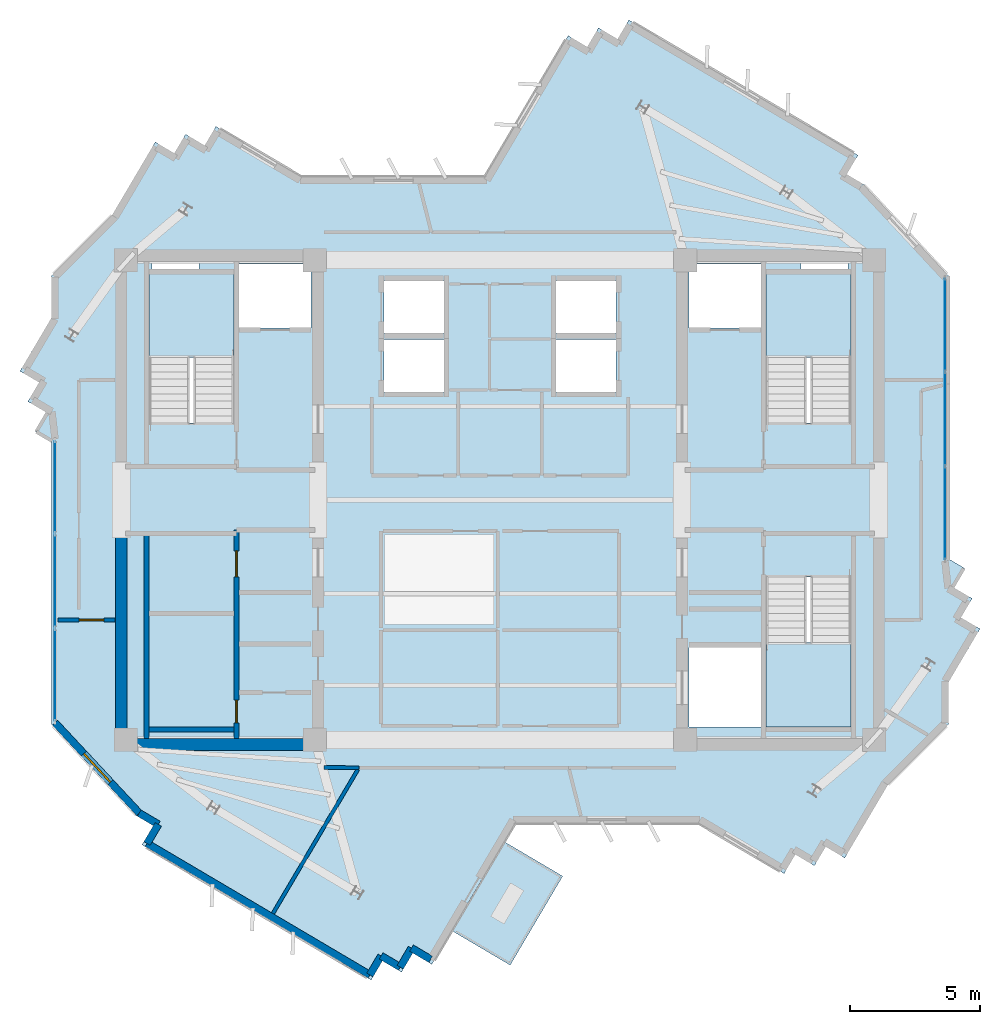
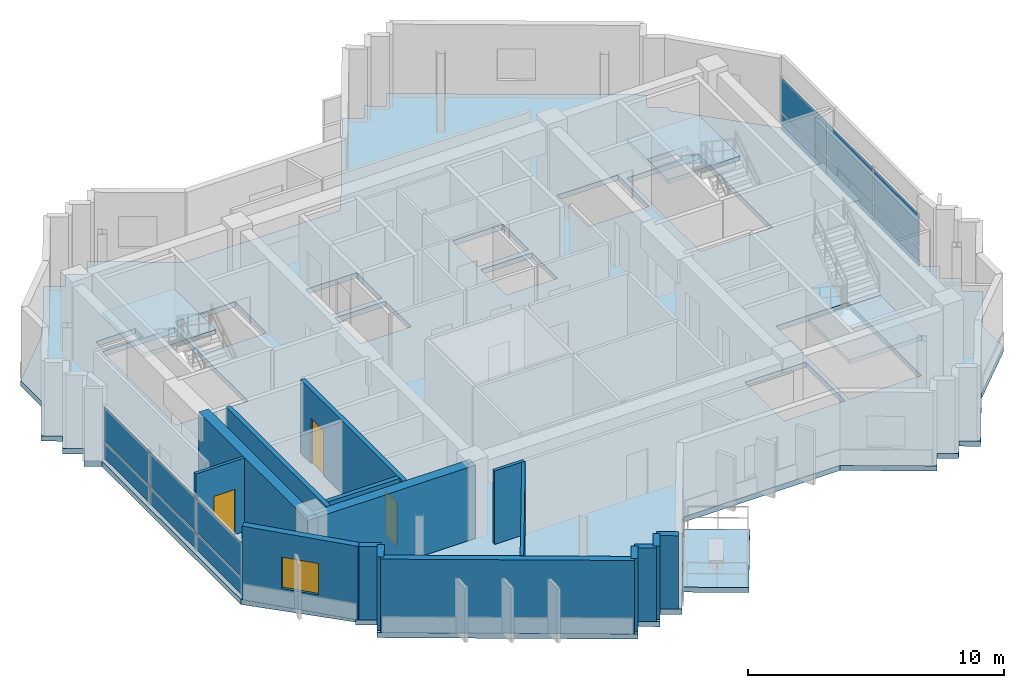
# One storey, part 3 of 10: 16 walls, 12 plates, 5 slabs, 3 doors, 1 window, 4 openings, 5 elements without a shape of their own.
"""IFC4 building model written with IfcOpenShell, lengths in metres."""

from ifc_helpers import new_model, si_unit, direction, frame, frame_2d, origin, origin_2d, place, context, subcontext, project, spatial, polyline, rectangle, outline, extrude, source, transform, mapped, material, layer, layer_set, type_object, element, fill, aggregate, save


model = new_model("IFC4")

# Units and contexts
model_context = context("Model", 3, precision=1e-05, world=origin(), true_north=direction((0.0, 1.0)))
body_context = subcontext(model_context, "Body", "Model", "MODEL_VIEW")
ifc_project = project(units=[si_unit("LENGTHUNIT", "METRE"), si_unit("AREAUNIT", "SQUARE_METRE"), si_unit("VOLUMEUNIT", "CUBIC_METRE"), si_unit("PLANEANGLEUNIT", "RADIAN"), si_unit("MASSUNIT", "GRAM", prefix="KILO")], contexts=[model_context])

# Site, building, storey
site_placement = place(None, origin())
site = spatial("IfcSite", under=ifc_project, at=site_placement, CompositionType="ELEMENT")
building_placement = place(site_placement, origin())
building = spatial("IfcBuilding", under=site, at=building_placement, Name="Zahravan Cultural Tower", CompositionType="ELEMENT")
storey_placement = place(building_placement, frame((0.0, 0.0, 349.800048828125)))
storey = spatial("IfcBuildingStorey", under=building, at=storey_placement, Name="L85", CompositionType="ELEMENT", Elevation=349.800048828125)

# Stair, slab
ifc_material_1 = material(Name="Concrete C45/55", Category="concrete")
stair_type = type_object("IfcStairType", Name="STR-DL-1550-375", PredefinedType="HALF_TURN_STAIR", material=ifc_material_1)
stair_1_placement = place(storey_placement, origin())
stair_1 = element("IfcStair", 1, at=stair_1_placement, inside=storey, type_object=stair_type, Name="L85 West Core North Exit Stair ST-W1", PredefinedType="HALF_TURN_STAIR")
ifc_layer_1 = layer(ifc_material_1, 0.199951171875)
ifc_layer_set_1 = layer_set([ifc_layer_1], Name="Concrete C45/55")
slab_type_1 = type_object("IfcSlabType", Name="SL-STAIR-LND200", PredefinedType="LANDING", material=ifc_layer_set_1)
slab_1_placement = place(storey_placement, frame((0.0, 0.0, 1.675048828125)))
slab_1 = element("IfcSlab", 2, at=slab_1_placement, type_object=slab_type_1, Name="ST-W1 landing 1", PredefinedType="LANDING", context=body_context, shape_type="SweptSolid", body=[
    extrude(outline(polyline([(25.800048828125, 32.469970703125), (25.800048828125, 35.699951171875), (22.550048828125, 35.699951171875), (22.550048828125, 32.469970703125), (25.800048828125, 32.469970703125)])), origin(), (0.0, 0.0, 1.0), 0.199951171875),
])
aggregate(stair_1, [slab_1])

stair_2_placement = place(storey_placement, origin())
stair_2 = element("IfcStair", 3, at=stair_2_placement, inside=storey, type_object=stair_type, Name="L85 East Core North Exit Stair ST-E1", PredefinedType="HALF_TURN_STAIR")
slab_2_placement = place(storey_placement, frame((0.0, 0.0, 1.675048828125)))
slab_2 = element("IfcSlab", 4, at=slab_2_placement, type_object=slab_type_1, Name="ST-E1 landing 1", PredefinedType="LANDING", context=body_context, shape_type="SweptSolid", body=[
    extrude(outline(polyline([(49.449951171875, 32.469970703125), (49.449951171875, 35.699951171875), (46.199951171875, 35.699951171875), (46.199951171875, 32.469970703125), (49.449951171875, 32.469970703125)])), origin(), (0.0, 0.0, 1.0), 0.199951171875),
])
aggregate(stair_2, [slab_2])

stair_3_placement = place(storey_placement, origin())
stair_3 = element("IfcStair", 5, at=stair_3_placement, inside=storey, type_object=stair_type, Name="L85 East Core South Exit Stair ST-E2", PredefinedType="HALF_TURN_STAIR")
slab_3_placement = place(storey_placement, frame((0.0, 0.0, 1.675048828125)))
slab_3 = element("IfcSlab", 6, at=slab_3_placement, type_object=slab_type_1, Name="ST-E2 landing 1", PredefinedType="LANDING", context=body_context, shape_type="SweptSolid", body=[
    extrude(outline(polyline([(46.199951171875, 21.530029296875), (46.199951171875, 18.300048828125), (49.449951171875, 18.300048828125), (49.449951171875, 21.530029296875), (46.199951171875, 21.530029296875)])), origin(), (0.0, 0.0, 1.0), 0.199951171875),
])
aggregate(stair_3, [slab_3])

# Slabs
ifc_material_2 = material(Name="Concrete C40/50", Category="concrete")
ifc_layer_2 = layer(ifc_material_2, 0.239990234375)
ifc_layer_set_2 = layer_set([ifc_layer_2], Name="Concrete C40/50")
slab_type_2 = type_object("IfcSlabType", Name="SL-TERR-240", PredefinedType="FLOOR", material=ifc_layer_set_2)
slab_4_placement = place(storey_placement, frame((0.0, 0.0, -0.239990234375)))
element("IfcSlab", 7, at=slab_4_placement, inside=storey, type_object=slab_type_2, Name="L85 Planted Sculpture Terrace SW", PredefinedType="FLOOR", context=body_context, shape_type="SweptSolid", body=[
    extrude(outline(polyline([(38.40234375, 12.576904296875), (36.16748046875, 13.895751953125), (34.15478515625, 10.4853515625), (36.389404296875, 9.16650390625), (38.40234375, 12.576904296875)])), origin(), (0.0, 0.0, 1.0), 0.239990234375),
])
ifc_layer_3 = layer(ifc_material_2, 0.25)
ifc_layer_set_3 = layer_set([ifc_layer_3], Name="Concrete C40/50")
slab_type_3 = type_object("IfcSlabType", Name="SL-TYP-250", PredefinedType="FLOOR", material=ifc_layer_set_3)
slab_5_placement = place(storey_placement, frame((0.0, 0.0, -0.25)))
element("IfcSlab", 8, at=slab_5_placement, inside=storey, type_object=slab_type_3, Name="L85 Structural Floor Slab", PredefinedType="FLOOR", context=body_context, shape_type="SweptSolid", body=[
    extrude(outline(polyline([(35.422607421875, 39.39990234375), (28.369140625, 39.39990234375), (25.10888671875, 41.32421875), (24.677001953125, 40.59228515625), (23.945068359375, 41.024169921875), (23.512939453125, 40.292236328125), (22.781005859375, 40.724365234375), (21.134033203125, 37.93408203125), (18.800048828125, 35.60009765625), (18.800048828125, 33.9794921875), (17.59619140625, 31.940185546875), (18.328369140625, 31.508056640625), (17.896240234375, 30.776123046875), (18.62841796875, 30.343994140625), (18.1962890625, 29.612060546875), (18.800048828125, 29.255615234375), (18.800048828125, 18.39990234375), (22.079345703125, 15.12060546875), (21.975830078125, 14.945068359375), (22.707763671875, 14.512939453125), (22.275634765625, 13.781005859375), (31.059814453125, 8.59619140625), (31.491943359375, 9.328369140625), (32.223876953125, 8.896240234375), (32.656005859375, 9.62841796875), (33.387939453125, 9.1962890625), (36.577392578125, 14.60009765625), (43.630859375, 14.60009765625), (46.89111328125, 12.67578125), (47.322998046875, 13.40771484375), (48.054931640625, 12.975830078125), (48.487060546875, 13.707763671875), (49.218994140625, 13.275634765625), (50.865966796875, 16.06591796875), (53.199951171875, 18.39990234375), (53.199951171875, 20.0205078125), (54.40380859375, 22.059814453125), (53.671630859375, 22.491943359375), (54.103759765625, 23.223876953125), (53.37158203125, 23.656005859375), (53.8037109375, 24.387939453125), (53.199951171875, 24.744384765625), (53.199951171875, 35.60009765625), (49.920654296875, 38.87939453125), (50.024169921875, 39.054931640625), (49.292236328125, 39.487060546875), (49.724365234375, 40.218994140625), (40.940185546875, 45.40380859375), (40.508056640625, 44.671630859375), (39.776123046875, 45.103759765625), (39.343994140625, 44.37158203125), (38.612060546875, 44.8037109375), (35.422607421875, 39.39990234375)]), holes=[polyline([(22.550048828125, 29.949951171875), (22.550048828125, 35.699951171875), (25.800048828125, 35.699951171875), (25.800048828125, 29.949951171875), (22.550048828125, 29.949951171875)]), polyline([(46.199951171875, 29.949951171875), (46.199951171875, 35.699951171875), (49.449951171875, 35.699951171875), (49.449951171875, 29.949951171875), (46.199951171875, 29.949951171875)]), polyline([(46.199951171875, 18.300048828125), (46.199951171875, 24.050048828125), (49.449951171875, 24.050048828125), (49.449951171875, 18.300048828125), (46.199951171875, 18.300048828125)]), polyline([(26.0, 33.60009765625), (26.0, 36.050048828125), (28.75, 36.050048828125), (28.75, 33.60009765625), (26.0, 33.60009765625)]), polyline([(43.25, 33.60009765625), (43.25, 36.050048828125), (46.0, 36.050048828125), (46.0, 33.60009765625), (43.25, 33.60009765625)]), polyline([(43.25, 18.300048828125), (43.25, 21.35009765625), (46.0, 21.35009765625), (46.0, 18.300048828125), (43.25, 18.300048828125)]), polyline([(31.550048828125, 33.39990234375), (31.550048828125, 35.39990234375), (33.85009765625, 35.39990234375), (33.85009765625, 33.39990234375), (31.550048828125, 33.39990234375)]), polyline([(31.550048828125, 31.14990234375), (31.550048828125, 33.14990234375), (33.85009765625, 33.14990234375), (33.85009765625, 31.14990234375), (31.550048828125, 31.14990234375)]), polyline([(38.14990234375, 33.39990234375), (38.14990234375, 35.39990234375), (40.449951171875, 35.39990234375), (40.449951171875, 33.39990234375), (38.14990234375, 33.39990234375)]), polyline([(38.14990234375, 31.14990234375), (38.14990234375, 33.14990234375), (40.449951171875, 33.14990234375), (40.449951171875, 31.14990234375), (38.14990234375, 31.14990234375)]), polyline([(22.64990234375, 35.800048828125), (22.64990234375, 36.419921875), (24.449951171875, 36.419921875), (24.449951171875, 35.800048828125), (22.64990234375, 35.800048828125)]), polyline([(47.550048828125, 35.800048828125), (47.550048828125, 36.419921875), (49.35009765625, 36.419921875), (49.35009765625, 35.800048828125), (47.550048828125, 35.800048828125)])]), origin(), (0.0, 0.0, 1.0), 0.25),
])

# Curtain wall, plates
ifc_material_3 = material(Name="Anodised bronze-aluminium mullion", Category="aluminium")
ifc_layer_4 = layer(ifc_material_3, 0.1650390625)
ifc_layer_set_4 = layer_set([ifc_layer_4], Name="Anodised bronze-aluminium mullion")
curtain_wall_type_1 = type_object("IfcCurtainWallType", Name="CW-SYS-4", PredefinedType="USERDEFINED", material=ifc_layer_set_4)
curtain_wall_1_placement = place(storey_placement, origin())
curtain_wall_1 = element("IfcCurtainWall", 9, at=curtain_wall_1_placement, inside=storey, type_object=curtain_wall_type_1, Name="L85 Recessed Curtain Wall CW-4.1", ObjectType="RECESSED GLAZING", PredefinedType="USERDEFINED")
ifc_material_4 = material(Name="Low-E solar-control double glazing", Category="glass")
ifc_layer_5 = layer(ifc_material_4, 0.02587890625)
ifc_layer_set_5 = layer_set([ifc_layer_5], Name="Low-E solar-control double glazing")
plate_type_1 = type_object("IfcPlateType", Name="CWP-CW-4", PredefinedType="CURTAIN_PANEL", material=ifc_layer_set_5)
shared_shape_1 = source(origin(), body_context, "Body", "SweptSolid", [
    extrude(rectangle(XDim=3.5283203125, YDim=0.02587890625, at=origin_2d()), origin(), (0.0, 0.0, 1.0), 0.802490234375),
])
plate_1_placement = place(storey_placement, frame((53.06005859375, 33.712890625, 0.06494140625), z_axis=(0.0, 0.0, 1.0), x_axis=(0.0, -1.0, 0.0)))
plate_1 = element("IfcPlate", 10, at=plate_1_placement, type_object=plate_type_1, Name="CW-4 panel 1.1", PredefinedType="CURTAIN_PANEL", context=body_context, shape_type="MappedRepresentation", body=[
    mapped(shared_shape_1, transform((0.0, 0.0, 0.0), x_axis=(1.0, 0.0, 0.0), y_axis=(0.0, 1.0, 0.0), z_axis=(0.0, 0.0, 1.0), scale=1.0)),
])
plate_2_placement = place(storey_placement, frame((53.06005859375, 26.49365234375, 0.06494140625), z_axis=(0.0, 0.0, 1.0), x_axis=(0.0, -1.0, 0.0)))
plate_2 = element("IfcPlate", 11, at=plate_2_placement, type_object=plate_type_1, Name="CW-4 panel 3.1", PredefinedType="CURTAIN_PANEL", context=body_context, shape_type="MappedRepresentation", body=[
    mapped(shared_shape_1, transform((0.0, 0.0, 0.0), x_axis=(1.0, 0.0, 0.0), y_axis=(0.0, 1.0, 0.0), z_axis=(0.0, 0.0, 1.0), scale=1.0)),
])
shared_shape_2 = source(origin(), body_context, "Body", "SweptSolid", [
    extrude(rectangle(XDim=3.5283203125, YDim=0.02587890625, at=origin_2d()), origin(), (0.0, 0.0, 1.0), 1.62255859375),
])
plate_3_placement = place(storey_placement, frame((53.06005859375, 33.712890625, 0.932373046875), z_axis=(0.0, 0.0, 1.0), x_axis=(0.0, -1.0, 0.0)))
plate_3 = element("IfcPlate", 12, at=plate_3_placement, type_object=plate_type_1, Name="CW-4 panel 1.2", PredefinedType="CURTAIN_PANEL", context=body_context, shape_type="MappedRepresentation", body=[
    mapped(shared_shape_2, transform((0.0, 0.0, 0.0), x_axis=(1.0, 0.0, 0.0), y_axis=(0.0, 1.0, 0.0), z_axis=(0.0, 0.0, 1.0), scale=1.0)),
])
plate_4_placement = place(storey_placement, frame((53.06005859375, 26.49365234375, 0.932373046875), z_axis=(0.0, 0.0, 1.0), x_axis=(0.0, -1.0, 0.0)))
plate_4 = element("IfcPlate", 13, at=plate_4_placement, type_object=plate_type_1, Name="CW-4 panel 3.2", PredefinedType="CURTAIN_PANEL", context=body_context, shape_type="MappedRepresentation", body=[
    mapped(shared_shape_2, transform((0.0, 0.0, 0.0), x_axis=(1.0, 0.0, 0.0), y_axis=(0.0, 1.0, 0.0), z_axis=(0.0, 0.0, 1.0), scale=1.0)),
])
shared_shape_3 = source(origin(), body_context, "Body", "SweptSolid", [
    extrude(rectangle(XDim=3.560791015625, YDim=0.02587890625, at=origin_2d()), origin(), (0.0, 0.0, 1.0), 0.802490234375),
])
plate_5_placement = place(storey_placement, frame((53.06005859375, 30.103271484375, 0.06494140625), z_axis=(0.0, 0.0, 1.0), x_axis=(0.0, -1.0, 0.0)))
plate_5 = element("IfcPlate", 14, at=plate_5_placement, type_object=plate_type_1, Name="CW-4 panel 2.1", PredefinedType="CURTAIN_PANEL", context=body_context, shape_type="MappedRepresentation", body=[
    mapped(shared_shape_3, transform((0.0, 0.0, 0.0), x_axis=(1.0, 0.0, 0.0), y_axis=(0.0, 1.0, 0.0), z_axis=(0.0, 0.0, 1.0), scale=1.0)),
])
shared_shape_4 = source(origin(), body_context, "Body", "SweptSolid", [
    extrude(rectangle(XDim=3.560791015625, YDim=0.02587890625, at=origin_2d()), origin(), (0.0, 0.0, 1.0), 1.62255859375),
])
plate_6_placement = place(storey_placement, frame((53.06005859375, 30.103271484375, 0.932373046875), z_axis=(0.0, 0.0, 1.0), x_axis=(0.0, -1.0, 0.0)))
plate_6 = element("IfcPlate", 15, at=plate_6_placement, type_object=plate_type_1, Name="CW-4 panel 2.2", PredefinedType="CURTAIN_PANEL", context=body_context, shape_type="MappedRepresentation", body=[
    mapped(shared_shape_4, transform((0.0, 0.0, 0.0), x_axis=(1.0, 0.0, 0.0), y_axis=(0.0, 1.0, 0.0), z_axis=(0.0, 0.0, 1.0), scale=1.0)),
])
aggregate(curtain_wall_1, [plate_1, plate_3, plate_5, plate_6, plate_2, plate_4])

ifc_layer_6 = layer(ifc_material_3, 0.219970703125)
ifc_layer_set_6 = layer_set([ifc_layer_6], Name="Anodised bronze-aluminium mullion")
curtain_wall_type_2 = type_object("IfcCurtainWallType", Name="CW-SYS-1", PredefinedType="USERDEFINED", material=ifc_layer_set_6)
curtain_wall_2_placement = place(storey_placement, origin())
curtain_wall_2 = element("IfcCurtainWall", 16, at=curtain_wall_2_placement, inside=storey, type_object=curtain_wall_type_2, Name="L85 Recessed Curtain Wall CW-1.2", ObjectType="RECESSED GLAZING", PredefinedType="USERDEFINED")
ifc_layer_7 = layer(ifc_material_4, 0.031982421875)
ifc_layer_set_7 = layer_set([ifc_layer_7], Name="Low-E solar-control double glazing")
plate_type_2 = type_object("IfcPlateType", Name="CWP-CW-1", PredefinedType="CURTAIN_PANEL", material=ifc_layer_set_7)
shared_shape_5 = source(origin(), body_context, "Body", "SweptSolid", [
    extrude(rectangle(XDim=3.505859375, YDim=0.031982421875, at=origin_2d()), origin(), (0.0, 0.0, 1.0), 0.780029296875),
])
plate_7_placement = place(storey_placement, frame((18.93994140625, 20.291015625, 0.080078125), z_axis=(0.0, 0.0, 1.0), x_axis=(0.0, 1.0, 0.0)))
plate_7 = element("IfcPlate", 17, at=plate_7_placement, type_object=plate_type_2, Name="CW-1 panel 1.1", PredefinedType="CURTAIN_PANEL", context=body_context, shape_type="MappedRepresentation", body=[
    mapped(shared_shape_5, transform((0.0, 0.0, 0.0), x_axis=(1.0, 0.0, 0.0), y_axis=(0.0, 1.0, 0.0), z_axis=(0.0, 0.0, 1.0), scale=1.0)),
])
plate_8_placement = place(storey_placement, frame((18.93994140625, 27.502685546875, 0.080078125), z_axis=(0.0, 0.0, 1.0), x_axis=(0.0, 1.0, 0.0)))
plate_8 = element("IfcPlate", 18, at=plate_8_placement, type_object=plate_type_2, Name="CW-1 panel 3.1", PredefinedType="CURTAIN_PANEL", context=body_context, shape_type="MappedRepresentation", body=[
    mapped(shared_shape_5, transform((0.0, 0.0, 0.0), x_axis=(1.0, 0.0, 0.0), y_axis=(0.0, 1.0, 0.0), z_axis=(0.0, 0.0, 1.0), scale=1.0)),
])
shared_shape_6 = source(origin(), body_context, "Body", "SweptSolid", [
    extrude(rectangle(XDim=3.505859375, YDim=0.031982421875, at=origin_2d()), origin(), (0.0, 0.0, 1.0), 1.60009765625),
])
plate_9_placement = place(storey_placement, frame((18.93994140625, 20.291015625, 0.93994140625), z_axis=(0.0, 0.0, 1.0), x_axis=(0.0, 1.0, 0.0)))
plate_9 = element("IfcPlate", 19, at=plate_9_placement, type_object=plate_type_2, Name="CW-1 panel 1.2", PredefinedType="CURTAIN_PANEL", context=body_context, shape_type="MappedRepresentation", body=[
    mapped(shared_shape_6, transform((0.0, 0.0, 0.0), x_axis=(1.0, 0.0, 0.0), y_axis=(0.0, 1.0, 0.0), z_axis=(0.0, 0.0, 1.0), scale=1.0)),
])
plate_10_placement = place(storey_placement, frame((18.93994140625, 27.502685546875, 0.93994140625), z_axis=(0.0, 0.0, 1.0), x_axis=(0.0, 1.0, 0.0)))
plate_10 = element("IfcPlate", 20, at=plate_10_placement, type_object=plate_type_2, Name="CW-1 panel 3.2", PredefinedType="CURTAIN_PANEL", context=body_context, shape_type="MappedRepresentation", body=[
    mapped(shared_shape_6, transform((0.0, 0.0, 0.0), x_axis=(1.0, 0.0, 0.0), y_axis=(0.0, 1.0, 0.0), z_axis=(0.0, 0.0, 1.0), scale=1.0)),
])
shared_shape_7 = source(origin(), body_context, "Body", "SweptSolid", [
    extrude(rectangle(XDim=3.5458984375, YDim=0.031982421875, at=origin_2d()), origin(), (0.0, 0.0, 1.0), 0.780029296875),
])
plate_11_placement = place(storey_placement, frame((18.93994140625, 23.896728515625, 0.080078125), z_axis=(0.0, 0.0, 1.0), x_axis=(0.0, 1.0, 0.0)))
plate_11 = element("IfcPlate", 21, at=plate_11_placement, type_object=plate_type_2, Name="CW-1 panel 2.1", PredefinedType="CURTAIN_PANEL", context=body_context, shape_type="MappedRepresentation", body=[
    mapped(shared_shape_7, transform((0.0, 0.0, 0.0), x_axis=(1.0, 0.0, 0.0), y_axis=(0.0, 1.0, 0.0), z_axis=(0.0, 0.0, 1.0), scale=1.0)),
])
shared_shape_8 = source(origin(), body_context, "Body", "SweptSolid", [
    extrude(rectangle(XDim=3.5458984375, YDim=0.031982421875, at=origin_2d()), origin(), (0.0, 0.0, 1.0), 1.60009765625),
])
plate_12_placement = place(storey_placement, frame((18.93994140625, 23.896728515625, 0.93994140625), z_axis=(0.0, 0.0, 1.0), x_axis=(0.0, 1.0, 0.0)))
plate_12 = element("IfcPlate", 22, at=plate_12_placement, type_object=plate_type_2, Name="CW-1 panel 2.2", PredefinedType="CURTAIN_PANEL", context=body_context, shape_type="MappedRepresentation", body=[
    mapped(shared_shape_8, transform((0.0, 0.0, 0.0), x_axis=(1.0, 0.0, 0.0), y_axis=(0.0, 1.0, 0.0), z_axis=(0.0, 0.0, 1.0), scale=1.0)),
])
aggregate(curtain_wall_2, [plate_7, plate_9, plate_11, plate_12, plate_8, plate_10])

# Wall, opening, window
ifc_material_5 = material(Name="Precast concrete C40/50", Category="concrete")
ifc_layer_8 = layer(ifc_material_5, 0.280029296875)
ifc_layer_set_8 = layer_set([ifc_layer_8], Name="Precast concrete C40/50")
wall_type_1 = type_object("IfcWallType", Name="EW-TC-280", PredefinedType="SOLIDWALL", material=ifc_layer_set_8)
wall_1_placement = place(storey_placement, frame((22.16748046875, 14.994384765625, 0.0), z_axis=(0.0, 0.0, 1.0), x_axis=(-0.681733754317, 0.731600361006, 0.0)))
wall_1 = element("IfcWall", 23, at=wall_1_placement, inside=storey, type_object=wall_type_1, Name="L85 Exterior Masonry Frame Wall 32", PredefinedType="SOLIDWALL", context=body_context, shape_type="SweptSolid", body=[
    extrude(rectangle(XDim=4.734375, YDim=0.280029296875, at=frame_2d((2.3671875, 0.0))), origin(), (0.0, 0.0, 1.0), 3.5),
])
opening_1_placement = place(wall_1_placement, frame((1.616943359375, 0.0, 0.85009765625)))
opening_1 = element("IfcOpeningElement", 24, at=opening_1_placement, cuts=wall_1, Name="Opening WN-03", PredefinedType="OPENING", context=body_context, shape_type="SweptSolid", body=[
    extrude(rectangle(XDim=1.5, YDim=1.5, at=frame_2d((0.75, 0.75))), frame((0.0, 0.14990234375, 0.0), z_axis=(0.0, -1.0, 0.0), x_axis=(1.0, 0.0, 0.0)), (0.0, 0.0, 1.0), 0.300048828125),
])
window_type = type_object("IfcWindowType", Name="WN-REC-1500X1500", PartitioningType="SINGLE_PANEL", PredefinedType="WINDOW", material=ifc_material_4)
shared_shape_9 = source(origin(), body_context, "Body", "SweptSolid", [
    extrude(rectangle(XDim=1.5, YDim=1.5, at=frame_2d((0.75, 0.75))), frame((0.0, 0.030029296875, 0.0), z_axis=(0.0, -1.0, 0.0), x_axis=(1.0, 0.0, 0.0)), (0.0, 0.0, 1.0), 0.06005859375),
])
window_placement = place(opening_1_placement, origin())
window = element("IfcWindow", 25, at=window_placement, inside=storey, type_object=window_type, Name="L85 Recessed Solar Window 06", OverallHeight=1.5, OverallWidth=1.5, PartitioningType="SINGLE_PANEL", PredefinedType="WINDOW", context=body_context, shape_type="MappedRepresentation", body=[
    mapped(shared_shape_9, transform((0.0, 0.0, 0.0), x_axis=(1.0, 0.0, 0.0), y_axis=(0.0, 1.0, 0.0), z_axis=(0.0, 0.0, 1.0), scale=1.0)),
])
fill(opening_1, window)

# Wall, opening, door
ifc_material_6 = material(Name="Gypsum plasterboard partition")
ifc_layer_9 = layer(ifc_material_6, 0.139892578125)
ifc_layer_set_9 = layer_set([ifc_layer_9], Name="Gypsum plasterboard partition")
wall_type_2 = type_object("IfcWallType", Name="W-PART-140", PredefinedType="PARTITIONING", material=ifc_layer_set_9)
wall_2_placement = place(storey_placement, frame((19.050048828125, 22.401611328125, 0.0), z_axis=(0.0, 0.0, 1.0), x_axis=(0.999999696925, -0.000778556098, 0.0)))
wall_2 = element("IfcWall", 26, at=wall_2_placement, inside=storey, type_object=wall_type_2, Name="L85 Interior Wall 078", PredefinedType="PARTITIONING", context=body_context, shape_type="SweptSolid", body=[
    extrude(rectangle(XDim=2.195068359375, YDim=0.139892578125, at=frame_2d((1.09765625, 0.0))), origin(), (0.0, 0.0, 1.0), 3.5),
])
opening_2_placement = place(wall_2_placement, frame((0.809326171875, 0.0, 0.0)))
opening_2 = element("IfcOpeningElement", 27, at=opening_2_placement, cuts=wall_2, Name="Opening D-L85-25", PredefinedType="OPENING", context=body_context, shape_type="SweptSolid", body=[
    extrude(rectangle(XDim=0.949951171875, YDim=2.14990234375, at=frame_2d((0.47509765625, 1.074951171875))), frame((0.0, 0.079833984375, 0.0), z_axis=(0.0, -1.0, 0.0), x_axis=(1.0, 0.0, 0.0)), (0.0, 0.0, 1.0), 0.159912109375),
])
door_type_1 = type_object("IfcDoorType", Name="DR-ROOM-950", OperationType="NOTDEFINED", PredefinedType="DOOR", material=ifc_material_3)
shared_shape_10 = source(origin(), body_context, "Body", "SweptSolid", [
    extrude(rectangle(XDim=0.949951171875, YDim=2.14990234375, at=frame_2d((0.47509765625, 1.074951171875))), frame((0.0, 0.02490234375, 0.0), z_axis=(0.0, -1.0, 0.0), x_axis=(1.0, 0.0, 0.0)), (0.0, 0.0, 1.0), 0.050048828125),
])
door_1_placement = place(opening_2_placement, origin())
door_1 = element("IfcDoor", 28, at=door_1_placement, inside=storey, type_object=door_type_1, Name="L85 Door D-L85-25", OperationType="SINGLE_SWING_RIGHT", OverallHeight=2.14990234375, OverallWidth=0.949951171875, PredefinedType="DOOR", context=body_context, shape_type="MappedRepresentation", body=[
    mapped(shared_shape_10, transform((0.0, 0.0, 0.0), x_axis=(1.0, 0.0, 0.0), y_axis=(0.0, 1.0, 0.0), z_axis=(0.0, 0.0, 1.0), scale=1.0)),
])
fill(opening_2, door_1)

# Wall, openings, doors
ifc_layer_10 = layer(ifc_material_1, 0.199951171875)
ifc_layer_set_10 = layer_set([ifc_layer_10], Name="Concrete C45/55")
wall_type_3 = type_object("IfcWallType", Name="W-SHAFT-200", PredefinedType="SOLIDWALL", material=ifc_layer_set_10)
wall_3_placement = place(storey_placement, frame((25.89990234375, 17.85009765625, 0.0), z_axis=(0.0, 0.0, 1.0), x_axis=(0.0, 1.0, 0.0)))
wall_3 = element("IfcWall", 29, at=wall_3_placement, inside=storey, type_object=wall_type_3, Name="L85 Interior Wall 005", PredefinedType="SOLIDWALL", context=body_context, shape_type="SweptSolid", body=[
    extrude(rectangle(XDim=8.0, YDim=0.199951171875, at=frame_2d((4.0, 0.0))), origin(), (0.0, 0.0, 1.0), 3.5),
])
opening_3_placement = place(wall_3_placement, frame((6.199951171875, 0.0, 0.0)))
opening_3 = element("IfcOpeningElement", 30, at=opening_3_placement, cuts=wall_3, Name="Opening D-L85-04", PredefinedType="OPENING", context=body_context, shape_type="SweptSolid", body=[
    extrude(rectangle(XDim=1.0, YDim=2.14990234375, at=frame_2d((0.5, 1.074951171875))), frame((0.0, 0.10986328125, 0.0), z_axis=(0.0, -1.0, 0.0), x_axis=(1.0, 0.0, 0.0)), (0.0, 0.0, 1.0), 0.219970703125),
])
opening_4_placement = place(wall_3_placement, frame((0.60009765625, 0.0, 0.0)))
opening_4 = element("IfcOpeningElement", 31, at=opening_4_placement, cuts=wall_3, Name="Opening D-L85-05", PredefinedType="OPENING", context=body_context, shape_type="SweptSolid", body=[
    extrude(rectangle(XDim=0.8798828125, YDim=2.10009765625, at=frame_2d((0.43994140625, 1.050048828125))), frame((0.0, 0.10986328125, 0.0), z_axis=(0.0, -1.0, 0.0), x_axis=(1.0, 0.0, 0.0)), (0.0, 0.0, 1.0), 0.219970703125),
])
ifc_material_7 = material(Name="Steel ASTM A572 Grade 50", Category="steel")
door_type_2 = type_object("IfcDoorType", Name="DR-SVC-880", OperationType="NOTDEFINED", PredefinedType="DOOR", material=ifc_material_7)
shared_shape_11 = source(origin(), body_context, "Body", "SweptSolid", [
    extrude(rectangle(XDim=0.8798828125, YDim=2.10009765625, at=frame_2d((0.43994140625, 1.050048828125))), frame((0.0, 0.02490234375, 0.0), z_axis=(0.0, -1.0, 0.0), x_axis=(1.0, 0.0, 0.0)), (0.0, 0.0, 1.0), 0.050048828125),
])
door_2_placement = place(opening_4_placement, origin())
door_2 = element("IfcDoor", 32, at=door_2_placement, inside=storey, type_object=door_type_2, Name="L85 Door D-L85-05", OperationType="SINGLE_SWING_RIGHT", OverallHeight=2.10009765625, OverallWidth=0.8798828125, PredefinedType="DOOR", context=body_context, shape_type="MappedRepresentation", body=[
    mapped(shared_shape_11, transform((0.0, 0.0, 0.0), x_axis=(1.0, 0.0, 0.0), y_axis=(0.0, 1.0, 0.0), z_axis=(0.0, 0.0, 1.0), scale=1.0)),
])
fill(opening_4, door_2)
door_type_3 = type_object("IfcDoorType", Name="DR-COMP-1000", OperationType="NOTDEFINED", PredefinedType="DOOR", material=ifc_material_7)
shared_shape_12 = source(origin(), body_context, "Body", "SweptSolid", [
    extrude(rectangle(XDim=1.0, YDim=2.14990234375, at=frame_2d((0.5, 1.074951171875))), frame((0.0, 0.02490234375, 0.0), z_axis=(0.0, -1.0, 0.0), x_axis=(1.0, 0.0, 0.0)), (0.0, 0.0, 1.0), 0.050048828125),
])
door_3_placement = place(opening_3_placement, origin())
door_3 = element("IfcDoor", 33, at=door_3_placement, inside=storey, type_object=door_type_3, Name="L85 Door D-L85-04", OperationType="SINGLE_SWING_LEFT", OverallHeight=2.14990234375, OverallWidth=1.0, PredefinedType="DOOR", context=body_context, shape_type="MappedRepresentation", body=[
    mapped(shared_shape_12, transform((0.0, 0.0, 0.0), x_axis=(1.0, 0.0, 0.0), y_axis=(0.0, 1.0, 0.0), z_axis=(0.0, 0.0, 1.0), scale=1.0)),
])
fill(opening_3, door_3)

# Walls
ifc_material_8 = material(Name="Concrete C50/60", Category="concrete")
ifc_layer_11 = layer(ifc_material_8, 0.449951171875)
ifc_layer_set_11 = layer_set([ifc_layer_11], Name="Concrete C50/60")
wall_type_4 = type_object("IfcWallType", Name="CW-SHEAR-450-C50", PredefinedType="SHEAR", material=ifc_layer_set_11)
shared_shape_13 = source(origin(), body_context, "Body", "SweptSolid", [
    extrude(rectangle(XDim=8.550048828125, YDim=0.449951171875, at=frame_2d((4.27490234375, 0.0))), origin(), (0.0, 0.0, 1.0), 3.5),
])
wall_4_placement = place(storey_placement, frame((21.47509765625, 17.39990234375, 0.0), z_axis=(0.0, 0.0, 1.0), x_axis=(0.0, 1.0, 0.0)))
element("IfcWall", 34, at=wall_4_placement, inside=storey, type_object=wall_type_4, Name="L85 Core Shear Wall CW-W-WS-L85", PredefinedType="SHEAR", context=body_context, shape_type="MappedRepresentation", body=[
    mapped(shared_shape_13, transform((0.0, 0.0, 0.0), x_axis=(1.0, 0.0, 0.0), y_axis=(0.0, 1.0, 0.0), z_axis=(0.0, 0.0, 1.0), scale=1.0)),
])
shared_shape_14 = source(origin(), body_context, "Body", "SweptSolid", [
    extrude(rectangle(XDim=7.10009765625, YDim=0.449951171875, at=frame_2d((3.550048828125, 0.0))), origin(), (0.0, 0.0, 1.0), 3.5),
])
wall_5_placement = place(storey_placement, frame((21.699951171875, 17.625, 0.0), z_axis=(0.0, 0.0, 1.0), x_axis=(1.0, 0.0, 0.0)))
element("IfcWall", 35, at=wall_5_placement, inside=storey, type_object=wall_type_4, Name="L85 Core Shear Wall CW-W-S-L85", PredefinedType="SHEAR", context=body_context, shape_type="MappedRepresentation", body=[
    mapped(shared_shape_14, transform((0.0, 0.0, 0.0), x_axis=(1.0, 0.0, 0.0), y_axis=(0.0, 1.0, 0.0), z_axis=(0.0, 0.0, 1.0), scale=1.0)),
])
shared_shape_15 = source(origin(), body_context, "Body", "SweptSolid", [
    extrude(rectangle(XDim=0.85009765625, YDim=0.280029296875, at=frame_2d((0.425048828125, 0.0))), origin(), (0.0, 0.0, 1.0), 3.5),
])
for number, where, z_axis, x_axis, name in (
    (36, (33.338623046875, 9.387939453125, 0.0), (0.0, 0.0, 1.0), (-0.861195099131, 0.508274533332, 0.0), "L85 Exterior Masonry Frame Wall 25"),
    (37, (32.6064453125, 9.820068359375, 0.0), (0.0, 0.0, 1.0), (-0.508061511919, -0.861320788154, 0.0), "L85 Exterior Masonry Frame Wall 26"),
    (38, (32.174560546875, 9.087890625, 0.0), (0.0, 0.0, 1.0), (-0.861195099131, 0.508274533332, 0.0), "L85 Exterior Masonry Frame Wall 27"),
    (39, (22.46728515625, 13.830322265625, 0.0), (0.0, 0.0, 1.0), (0.508400256027, 0.861120885632, 0.0), "L85 Exterior Masonry Frame Wall 30"),
    (40, (22.8994140625, 14.562255859375, 0.0), (0.0, 0.0, 1.0), (-0.861120885632, 0.508400256027, 0.0), "L85 Exterior Masonry Frame Wall 31"),
):
    element("IfcWall", number, at=place(storey_placement, frame(where, z_axis=z_axis, x_axis=x_axis)), inside=storey, type_object=wall_type_1, Name=name, PredefinedType="SOLIDWALL", context=body_context, shape_type="MappedRepresentation", body=[
        mapped(shared_shape_15, transform((0.0, 0.0, 0.0), x_axis=(1.0, 0.0, 0.0), y_axis=(0.0, 1.0, 0.0), z_axis=(0.0, 0.0, 1.0), scale=1.0)),
    ])
shared_shape_16 = source(origin(), body_context, "Body", "SweptSolid", [
    extrude(rectangle(XDim=0.849853515625, YDim=0.280029296875, at=frame_2d((0.4248046875, 0.0))), origin(), (0.0, 0.0, 1.0), 3.5),
])
wall_6_placement = place(storey_placement, frame((31.4423828125, 9.52001953125, 0.0), z_axis=(0.0, 0.0, 1.0), x_axis=(-0.508187218622, -0.861246626019, 0.0)))
element("IfcWall", 41, at=wall_6_placement, inside=storey, type_object=wall_type_1, Name="L85 Exterior Masonry Frame Wall 28", PredefinedType="SOLIDWALL", context=body_context, shape_type="MappedRepresentation", body=[
    mapped(shared_shape_16, transform((0.0, 0.0, 0.0), x_axis=(1.0, 0.0, 0.0), y_axis=(0.0, 1.0, 0.0), z_axis=(0.0, 0.0, 1.0), scale=1.0)),
])
shared_shape_17 = source(origin(), body_context, "Body", "SweptSolid", [
    extrude(rectangle(XDim=9.920166015625, YDim=0.280029296875, at=frame_2d((4.9599609375, 0.0))), origin(), (0.0, 0.0, 1.0), 3.5),
])
wall_7_placement = place(storey_placement, frame((31.010498046875, 8.7880859375, 0.0), z_axis=(0.0, 0.0, 1.0), x_axis=(-0.861192451778, 0.508279018848, 0.0)))
element("IfcWall", 42, at=wall_7_placement, inside=storey, type_object=wall_type_1, Name="L85 Exterior Masonry Frame Wall 29", PredefinedType="SOLIDWALL", context=body_context, shape_type="MappedRepresentation", body=[
    mapped(shared_shape_17, transform((0.0, 0.0, 0.0), x_axis=(1.0, 0.0, 0.0), y_axis=(0.0, 1.0, 0.0), z_axis=(0.0, 0.0, 1.0), scale=1.0)),
])
shared_shape_18 = source(origin(), body_context, "Body", "SweptSolid", [
    extrude(rectangle(XDim=7.869873046875, YDim=0.199951171875, at=frame_2d((3.93505859375, 0.0))), origin(), (0.0, 0.0, 1.0), 3.5),
])
wall_8_placement = place(storey_placement, frame((22.449951171875, 17.85009765625, 0.0), z_axis=(0.0, 0.0, 1.0), x_axis=(0.0, 1.0, 0.0)))
element("IfcWall", 43, at=wall_8_placement, inside=storey, type_object=wall_type_3, Name="L85 Interior Wall 001", PredefinedType="SOLIDWALL", context=body_context, shape_type="MappedRepresentation", body=[
    mapped(shared_shape_18, transform((0.0, 0.0, 0.0), x_axis=(1.0, 0.0, 0.0), y_axis=(0.0, 1.0, 0.0), z_axis=(0.0, 0.0, 1.0), scale=1.0)),
])
shared_shape_19 = source(origin(), body_context, "Body", "SweptSolid", [
    extrude(rectangle(XDim=3.25, YDim=0.199951171875, at=frame_2d((1.625, 0.0))), origin(), (0.0, 0.0, 1.0), 3.5),
])
wall_9_placement = place(storey_placement, frame((22.550048828125, 18.199951171875, 0.0), z_axis=(0.0, 0.0, 1.0), x_axis=(1.0, 0.0, 0.0)))
element("IfcWall", 44, at=wall_9_placement, inside=storey, type_object=wall_type_3, Name="L85 Interior Wall 019", PredefinedType="SOLIDWALL", context=body_context, shape_type="MappedRepresentation", body=[
    mapped(shared_shape_19, transform((0.0, 0.0, 0.0), x_axis=(1.0, 0.0, 0.0), y_axis=(0.0, 1.0, 0.0), z_axis=(0.0, 0.0, 1.0), scale=1.0)),
])
shared_shape_20 = source(origin(), body_context, "Body", "SweptSolid", [
    extrude(rectangle(XDim=1.3427734375, YDim=0.139892578125, at=frame_2d((0.67138671875, 0.0))), origin(), (0.0, 0.0, 1.0), 3.5),
])
wall_10_placement = place(storey_placement, frame((29.251708984375, 16.74267578125, 0.0), z_axis=(0.0, 0.0, 1.0), x_axis=(0.999997619843, -0.002181812989, 0.0)))
element("IfcWall", 45, at=wall_10_placement, inside=storey, type_object=wall_type_2, Name="L85 Interior Wall 079", PredefinedType="PARTITIONING", context=body_context, shape_type="MappedRepresentation", body=[
    mapped(shared_shape_20, transform((0.0, 0.0, 0.0), x_axis=(1.0, 0.0, 0.0), y_axis=(0.0, 1.0, 0.0), z_axis=(0.0, 0.0, 1.0), scale=1.0)),
])
shared_shape_21 = source(origin(), body_context, "Body", "SweptSolid", [
    extrude(rectangle(XDim=6.404541015625, YDim=0.139892578125, at=frame_2d((3.2021484375, 0.0))), origin(), (0.0, 0.0, 1.0), 3.5),
])
wall_11_placement = place(storey_placement, frame((30.55029296875, 16.664794921875, 0.0), z_axis=(0.0, 0.0, 1.0), x_axis=(-0.508299006291, -0.861180654801, 0.0)))
element("IfcWall", 46, at=wall_11_placement, inside=storey, type_object=wall_type_2, Name="L85 Interior Wall 080", PredefinedType="PARTITIONING", context=body_context, shape_type="MappedRepresentation", body=[
    mapped(shared_shape_21, transform((0.0, 0.0, 0.0), x_axis=(1.0, 0.0, 0.0), y_axis=(0.0, 1.0, 0.0), z_axis=(0.0, 0.0, 1.0), scale=1.0)),
])

save(model, "model.ifc")
